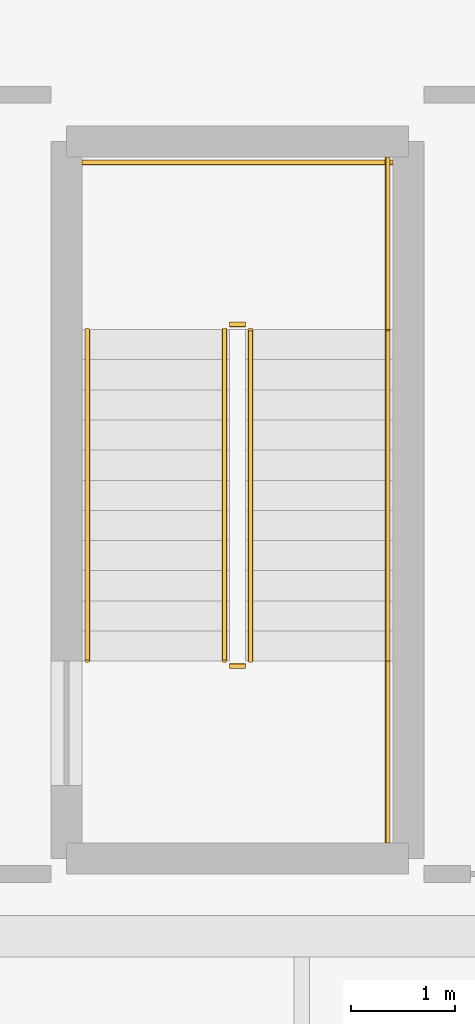
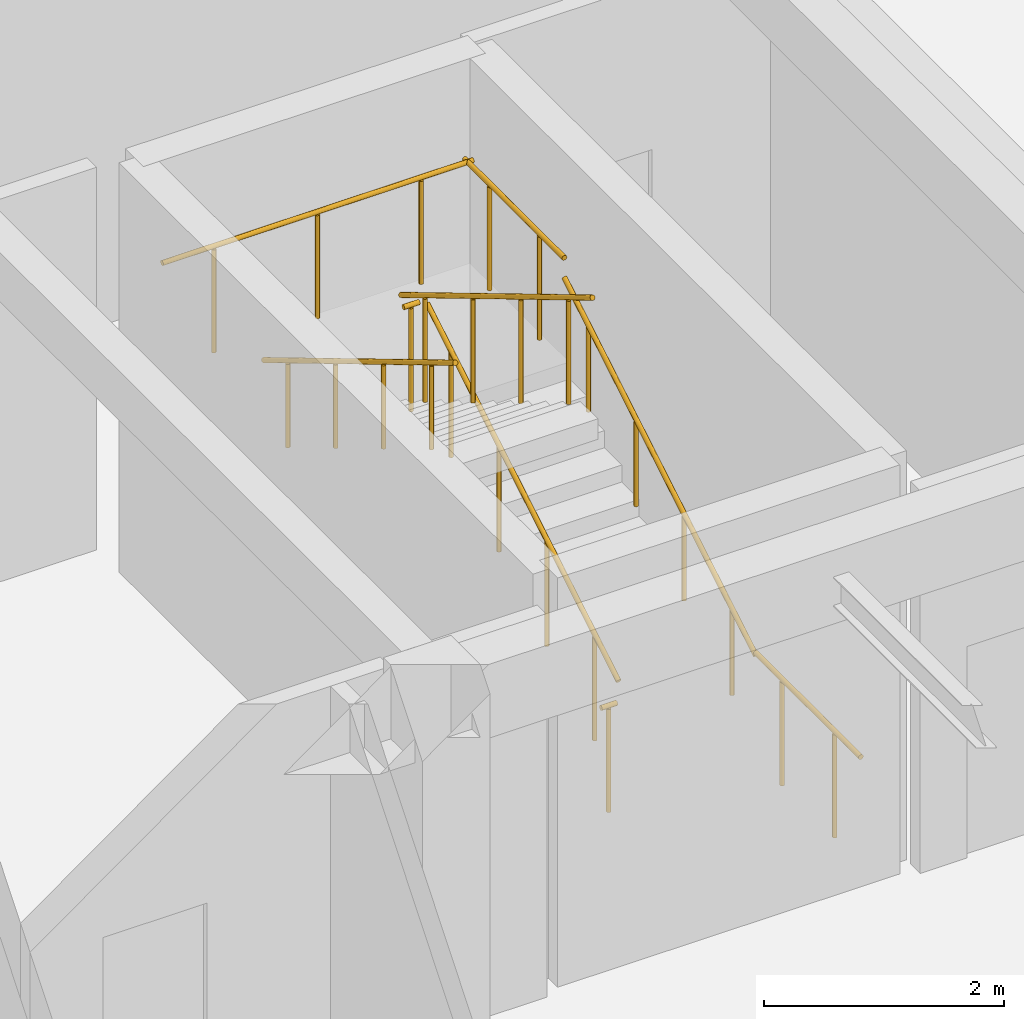
# One storey, part 107 of 114: 9 railings.
"""IFC4 building model written with IfcOpenShell, lengths in metres."""

from ifc_helpers import new_model, si_unit, direction, frame, origin, origin_2d, place, context, subcontext, project, spatial, circle, extrude, material, type_object, element, save


model = new_model("IFC4")

# Units and contexts
model_context = context("Model", 3, precision=1e-05, world=origin(), true_north=direction((0.0, 1.0)))
body_context = subcontext(model_context, "Body", "Model", "MODEL_VIEW")
ifc_project = project(units=[si_unit("LENGTHUNIT", "METRE"), si_unit("AREAUNIT", "SQUARE_METRE"), si_unit("VOLUMEUNIT", "CUBIC_METRE"), si_unit("PLANEANGLEUNIT", "RADIAN"), si_unit("MASSUNIT", "GRAM", prefix="KILO")], contexts=[model_context])

# Site, building, storey
site_placement = place(None, origin())
site = spatial("IfcSite", under=ifc_project, at=site_placement, CompositionType="ELEMENT")
building_placement = place(site_placement, origin())
building = spatial("IfcBuilding", under=site, at=building_placement, Name="Keldmere Railside Commons", CompositionType="ELEMENT")
storey_placement = place(building_placement, origin())
storey = spatial("IfcBuildingStorey", under=building, at=storey_placement, Name="L00", CompositionType="ELEMENT", Elevation=0.0)

# Railings
ifc_material = material(Name="Steel F-24 (S235)", Category="steel")
railing_type_1 = type_object("IfcRailingType", Name="Stair Well Steel Guardrail 1100", PredefinedType="BALUSTRADE", material=ifc_material)
railing_1_placement = place(storey_placement, frame((171.280029296875, 22.050048828125, 0.17333984375)))
element("IfcRailing", 1, at=railing_1_placement, inside=storey, type_object=railing_type_1, Name="L00 ST-M2 stair guard 1", PredefinedType="BALUSTRADE", context=body_context, shape_type="SweptSolid", body=[
    extrude(circle(Radius=0.02392578125, at=origin_2d()), frame((0.0, 0.0, 1.076171875), z_axis=(0.0, 0.858349611844, 0.513065243265), x_axis=(-1.0, 0.0, 0.0)), (0.0, 0.0, 1.0), 3.71630859375),
    extrude(circle(Radius=0.02099609375, at=origin_2d()), frame((0.0, 0.398681640625, 0.23828125)), (0.0, 0.0, 1.0), 1.048095703125),
    extrude(circle(Radius=0.02099609375, at=origin_2d()), frame((0.0, 1.1962890625, 0.715087890625)), (0.0, 0.0, 1.0), 1.048095703125),
    extrude(circle(Radius=0.02099609375, at=origin_2d()), frame((0.0, 1.99365234375, 1.191650390625)), (0.0, 0.0, 1.0), 1.048095703125),
    extrude(circle(Radius=0.02099609375, at=origin_2d()), frame((0.0, 2.791259765625, 1.66845703125)), (0.0, 0.0, 1.0), 1.048095703125),
])
railing_2_placement = place(storey_placement, frame((171.22998046875, 25.2900390625, 2.080078125)))
element("IfcRailing", 2, at=railing_2_placement, inside=storey, type_object=railing_type_1, Name="L00 ST-M2 stair guard 2", PredefinedType="BALUSTRADE", context=body_context, shape_type="SweptSolid", body=[
    extrude(circle(Radius=0.02392578125, at=origin_2d()), frame((0.0, 0.0, 1.076171875), z_axis=(-1.0, 0.0, 0.0), x_axis=(0.0, -1.0, 0.0)), (0.0, 0.0, 1.0), 0.14990234375),
    extrude(circle(Radius=0.02099609375, at=origin_2d()), frame((-0.074951171875, 0.0, 0.0)), (0.0, 0.0, 1.0), 1.048095703125),
])
railing_3_placement = place(storey_placement, frame((172.60009765625, 25.239990234375, 2.080078125)))
element("IfcRailing", 3, at=railing_3_placement, inside=storey, type_object=railing_type_1, Name="L00 ST-M2 stair guard 3", PredefinedType="BALUSTRADE", context=body_context, shape_type="SweptSolid", body=[
    extrude(circle(Radius=0.02392578125, at=origin_2d()), frame((0.0, 0.0, 1.076171875), z_axis=(0.0, 1.0, 0.0), x_axis=(-1.0, 0.0, 0.0)), (0.0, 0.0, 1.0), 1.659912109375),
    extrude(circle(Radius=0.02099609375, at=origin_2d()), frame((0.0, 0.4150390625, 0.0)), (0.0, 0.0, 1.0), 1.048095703125),
    extrude(circle(Radius=0.02099609375, at=origin_2d()), frame((0.0, 1.244873046875, 0.0)), (0.0, 0.0, 1.0), 1.048095703125),
])
railing_4_placement = place(storey_placement, frame((172.64990234375, 26.85009765625, 2.080078125)))
element("IfcRailing", 4, at=railing_4_placement, inside=storey, type_object=railing_type_1, Name="L00 ST-M2 stair guard 4", PredefinedType="BALUSTRADE", context=body_context, shape_type="SweptSolid", body=[
    extrude(circle(Radius=0.02392578125, at=origin_2d()), frame((0.0, 0.0, 1.076171875), z_axis=(-1.0, 0.0, 0.0), x_axis=(0.0, -1.0, 0.0)), (0.0, 0.0, 1.0), 2.989990234375),
    extrude(circle(Radius=0.02099609375, at=origin_2d()), frame((-0.498291015625, 0.0, 0.0)), (0.0, 0.0, 1.0), 1.048095703125),
    extrude(circle(Radius=0.02099609375, at=origin_2d()), frame((-1.4951171875, 0.0, 0.0)), (0.0, 0.0, 1.0), 1.048095703125),
    extrude(circle(Radius=0.02099609375, at=origin_2d()), frame((-2.49169921875, 0.0, 0.0)), (0.0, 0.0, 1.0), 1.048095703125),
])
railing_5_placement = place(storey_placement, frame((171.030029296875, 25.239990234375, 2.25341796875)))
element("IfcRailing", 5, at=railing_5_placement, inside=storey, type_object=railing_type_1, Name="L00 ST-M2 stair guard 5", PredefinedType="BALUSTRADE", context=body_context, shape_type="SweptSolid", body=[
    extrude(circle(Radius=0.02392578125, at=origin_2d()), frame((0.0, 0.0, 1.076171875), z_axis=(0.0, -0.858378542117, 0.513016840302), x_axis=(1.0, 0.0, 0.0)), (0.0, 0.0, 1.0), 3.71630859375),
    extrude(circle(Radius=0.02099609375, at=origin_2d()), frame((0.0, -0.398681640625, 0.23828125)), (0.0, 0.0, 1.0), 1.048095703125),
    extrude(circle(Radius=0.02099609375, at=origin_2d()), frame((0.0, -1.1962890625, 0.71484375)), (0.0, 0.0, 1.0), 1.048095703125),
    extrude(circle(Radius=0.02099609375, at=origin_2d()), frame((0.0, -1.99365234375, 1.191650390625)), (0.0, 0.0, 1.0), 1.048095703125),
    extrude(circle(Radius=0.02099609375, at=origin_2d()), frame((0.0, -2.791259765625, 1.668212890625)), (0.0, 0.0, 1.0), 1.048095703125),
])
railing_6_placement = place(storey_placement, frame((171.22998046875, 22.0, 0.0)))
element("IfcRailing", 6, at=railing_6_placement, inside=storey, type_object=railing_type_1, Name="L00 ST-M2 stair guard 6", PredefinedType="BALUSTRADE", context=body_context, shape_type="SweptSolid", body=[
    extrude(circle(Radius=0.02392578125, at=origin_2d()), frame((0.0, 0.0, 1.076171875), z_axis=(-1.0, 0.0, 0.0), x_axis=(0.0, -1.0, 0.0)), (0.0, 0.0, 1.0), 0.14990234375),
    extrude(circle(Radius=0.02099609375, at=origin_2d()), frame((-0.074951171875, 0.0, 0.0)), (0.0, 0.0, 1.0), 1.048095703125),
])
railing_7_placement = place(storey_placement, frame((172.60009765625, 20.300048828125, 0.0)))
element("IfcRailing", 7, at=railing_7_placement, inside=storey, type_object=railing_type_1, Name="L00 ST-M2 stair guard 7", PredefinedType="BALUSTRADE", context=body_context, shape_type="SweptSolid", body=[
    extrude(circle(Radius=0.02392578125, at=origin_2d()), frame((0.0, 0.0, 1.076171875), z_axis=(0.0, 1.0, 0.0), x_axis=(-1.0, 0.0, 0.0)), (0.0, 0.0, 1.0), 1.75),
    extrude(circle(Radius=0.02099609375, at=origin_2d()), frame((0.0, 0.4375, 0.0)), (0.0, 0.0, 1.0), 1.048095703125),
    extrude(circle(Radius=0.02099609375, at=origin_2d()), frame((0.0, 1.3125, 0.0)), (0.0, 0.0, 1.0), 1.048095703125),
])
railing_type_2 = type_object("IfcRailingType", Name="Wall-Mounted Tubular Steel Handrail 900", PredefinedType="HANDRAIL", material=ifc_material)
railing_8_placement = place(storey_placement, frame((172.60009765625, 22.050048828125, 0.17333984375)))
element("IfcRailing", 8, at=railing_8_placement, inside=storey, type_object=railing_type_2, Name="L00 ST-M2 stair handrail 1", PredefinedType="HANDRAIL", context=body_context, shape_type="SweptSolid", body=[
    extrude(circle(Radius=0.02392578125, at=origin_2d()), frame((0.0, 0.0, 0.8759765625), z_axis=(0.0, 0.858349611844, 0.513065243265), x_axis=(-1.0, 0.0, 0.0)), (0.0, 0.0, 1.0), 3.71630859375),
    extrude(circle(Radius=0.02099609375, at=origin_2d()), frame((0.0, 0.398681640625, 0.23828125)), (0.0, 0.0, 1.0), 0.847900390625),
    extrude(circle(Radius=0.02099609375, at=origin_2d()), frame((0.0, 1.1962890625, 0.715087890625)), (0.0, 0.0, 1.0), 0.847900390625),
    extrude(circle(Radius=0.02099609375, at=origin_2d()), frame((0.0, 1.99365234375, 1.191650390625)), (0.0, 0.0, 1.0), 0.847900390625),
    extrude(circle(Radius=0.02099609375, at=origin_2d()), frame((0.0, 2.791259765625, 1.66845703125)), (0.0, 0.0, 1.0), 0.847900390625),
])
railing_9_placement = place(storey_placement, frame((169.7099609375, 25.239990234375, 2.25341796875)))
element("IfcRailing", 9, at=railing_9_placement, inside=storey, type_object=railing_type_2, Name="L00 ST-M2 stair handrail 2", PredefinedType="HANDRAIL", context=body_context, shape_type="SweptSolid", body=[
    extrude(circle(Radius=0.02392578125, at=origin_2d()), frame((0.0, 0.0, 0.8759765625), z_axis=(0.0, -0.858378542117, 0.513016840302), x_axis=(1.0, 0.0, 0.0)), (0.0, 0.0, 1.0), 3.71630859375),
    extrude(circle(Radius=0.02099609375, at=origin_2d()), frame((0.0, -0.398681640625, 0.23828125)), (0.0, 0.0, 1.0), 0.847900390625),
    extrude(circle(Radius=0.02099609375, at=origin_2d()), frame((0.0, -1.1962890625, 0.71484375)), (0.0, 0.0, 1.0), 0.847900390625),
    extrude(circle(Radius=0.02099609375, at=origin_2d()), frame((0.0, -1.99365234375, 1.191650390625)), (0.0, 0.0, 1.0), 0.847900390625),
    extrude(circle(Radius=0.02099609375, at=origin_2d()), frame((0.0, -2.791259765625, 1.668212890625)), (0.0, 0.0, 1.0), 0.847900390625),
])

save(model, "model.ifc")
